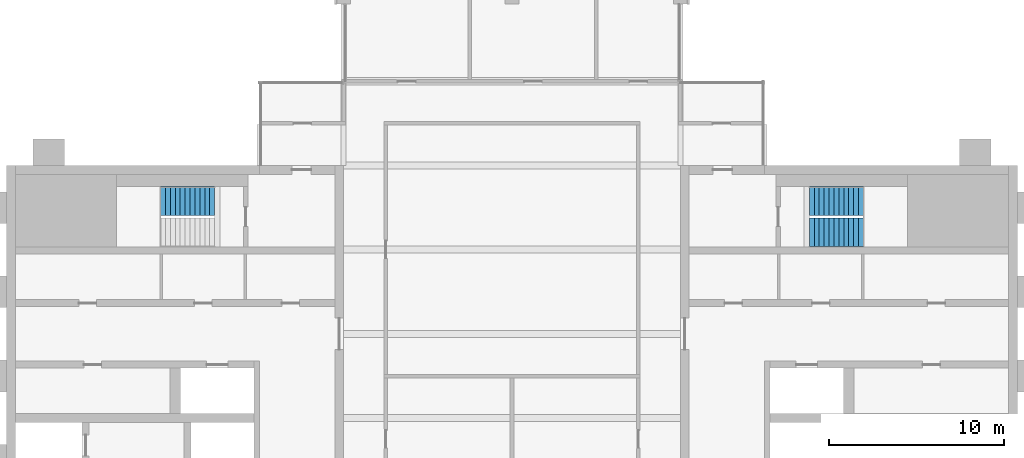
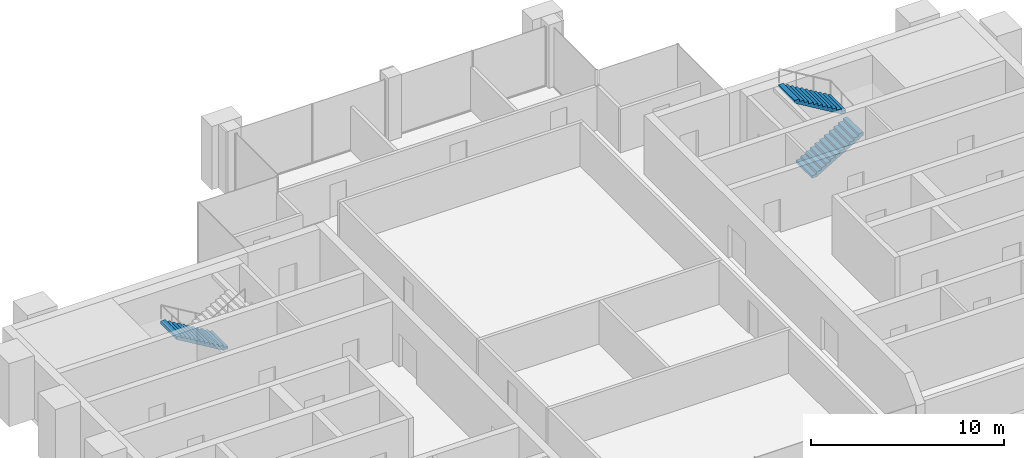
# One storey, part 11 of 12: 3 stair flights, 2 elements without a shape of their own.
"""IFC4 building model written with IfcOpenShell, lengths in metres."""

import ifcopenshell
import ifcopenshell.guid

model = None  # the IFC model being written
_history = None  # IfcOwnerHistory: only IFC2X3 demands one
_inside = {}  # id of a spatial element -> (the spatial element, [elements in it])
_under = {}  # id of a project, library or spatial element -> (it, [spatial elements below it])
_declared = {}  # id of a project -> (the project, [libraries it declares])
_typed = {}  # id of a type object -> (the type object, [elements of that type])
_made_of = {}  # id of a material, layer set ... -> (it, [elements and type objects made of it])


def new_model(schema):
    """Start an empty IFC model of exactly this schema.

    Asked for "IFC4X3", IfcOpenShell would pick the latest addendum, in which some entities
    have other attributes; the version numbers below select the first issue.
    IFC2X3 requires an IfcOwnerHistory on every rooted entity: one is made here for all.
    """
    global model, _history
    if schema == "IFC4X3":
        model = ifcopenshell.file(schema_version=(4, 3, 0, 0))
    else:
        model = ifcopenshell.file(schema=schema)
    _inside.clear()
    _under.clear()
    _declared.clear()
    _typed.clear()
    _made_of.clear()
    _history = None
    if model.schema == "IFC2X3":
        org = make("IfcOrganization", Name="unknown")
        user = make(
            "IfcPersonAndOrganization",
            ThePerson=make("IfcPerson", FamilyName="unknown"),
            TheOrganization=org,
        )
        app = make(
            "IfcApplication",
            ApplicationDeveloper=org,
            Version="unknown",
            ApplicationFullName="unknown",
            ApplicationIdentifier="unknown",
        )
        _history = make(
            "IfcOwnerHistory",
            OwningUser=user,
            OwningApplication=app,
            ChangeAction="ADDED",
            CreationDate=0,
        )
    return model


def make(cls, **values):
    """One entity of the class cls with the attributes given. An attribute that is None is left unset."""
    return model.create_entity(
        cls, **{name: value for name, value in values.items() if value is not None}
    )


def rooted(cls, **values):
    """An entity with a GlobalId (a new one), such as an element, a storey or a relation."""
    return make(cls, GlobalId=ifcopenshell.guid.new(), OwnerHistory=_history, **values)


def si_unit(unit_type, name, prefix=None):
    """IfcSIUnit, for example si_unit("LENGTHUNIT", "METRE", prefix="MILLI")."""
    return make("IfcSIUnit", UnitType=unit_type, Prefix=prefix, Name=name)


def assignment(units):
    """IfcUnitAssignment: the units of a project."""
    return None if units is None else make("IfcUnitAssignment", Units=units)


def point(xyz):
    """IfcCartesianPoint."""
    return None if xyz is None else make("IfcCartesianPoint", Coordinates=xyz)


def direction(xyz):
    """IfcDirection."""
    return None if xyz is None else make("IfcDirection", DirectionRatios=xyz)


def frame(location, z_axis=None, x_axis=None):
    """IfcAxis2Placement3D, a coordinate frame: its origin and axes. An axis left out is left unset."""
    return make(
        "IfcAxis2Placement3D",
        Location=point(location),
        Axis=direction(z_axis),
        RefDirection=direction(x_axis),
    )


def origin():
    """The frame at (0, 0, 0) with its axes left unset."""
    return frame((0.0, 0.0, 0.0))


def place(relative_to, where):
    """IfcLocalPlacement: puts the frame where relative to a parent placement (None: the world)."""
    return make(
        "IfcLocalPlacement", PlacementRelTo=relative_to, RelativePlacement=where
    )


def context(
    kind, dimensions, precision=None, world=None, true_north=None, identifier=None
):
    """IfcGeometricRepresentationContext, for example the 3D "Model" context."""
    return make(
        "IfcGeometricRepresentationContext",
        ContextIdentifier=identifier,
        ContextType=kind,
        CoordinateSpaceDimension=dimensions,
        Precision=precision,
        WorldCoordinateSystem=world,
        TrueNorth=true_north,
    )


def subcontext(parent, identifier, kind, view, scale=None):
    """IfcGeometricRepresentationSubContext, for example "Body" below "Model"."""
    return make(
        "IfcGeometricRepresentationSubContext",
        ContextIdentifier=identifier,
        ContextType=kind,
        ParentContext=parent,
        TargetScale=scale,
        TargetView=view,
    )


def project(units=None, contexts=None):
    """IfcProject with its units and contexts."""
    return rooted(
        "IfcProject",
        Name="project",
        RepresentationContexts=contexts,
        UnitsInContext=assignment(units),
    )


def spatial(cls, under=None, at=None, **own):
    """A site, building, storey or space (cls), placed at a placement, below another one or the project."""
    s = rooted(cls, ObjectPlacement=at, **own)
    if under is not None:
        _under.setdefault(under.id(), (under, []))[1].append(s)
    return s


def polyline(points):
    """IfcPolyline through the points."""
    return make("IfcPolyline", Points=[point(p) for p in points])


def outline(outer, holes=None, kind="AREA"):
    """IfcArbitraryClosedProfileDef: a profile drawn as a closed curve; with holes, ...WithVoids."""
    if holes is None:
        return make("IfcArbitraryClosedProfileDef", ProfileType=kind, OuterCurve=outer)
    return make(
        "IfcArbitraryProfileDefWithVoids",
        ProfileType=kind,
        OuterCurve=outer,
        InnerCurves=holes,
    )


def extrude(swept, where, along, depth):
    """IfcExtrudedAreaSolid: the profile swept, set in the frame where, extruded along a direction by depth."""
    return make(
        "IfcExtrudedAreaSolid",
        SweptArea=swept,
        Position=where,
        ExtrudedDirection=direction(along),
        Depth=depth,
    )


def shape(context_of_items, identifier, shape_type, items):
    """IfcShapeRepresentation: the items that make up one representation, for example the "Body"."""
    return make(
        "IfcShapeRepresentation",
        ContextOfItems=context_of_items,
        RepresentationIdentifier=identifier,
        RepresentationType=shape_type,
        Items=items,
    )


def material(Name=None, Category=None):
    """IfcMaterial."""
    return make("IfcMaterial", Name=Name, Category=Category)


def made_of(thing, what):
    """Note that an element or type object is made of a material, layer set ...; save() writes the relation."""
    if what is not None:
        _made_of.setdefault(what.id(), (what, []))[1].append(thing)
    return thing


def type_object(cls, material=None, **own):
    """A type object (cls), such as IfcWallType, which elements share."""
    return made_of(rooted(cls, **own), material)


def element(
    cls,
    number,
    at=None,
    inside=None,
    cuts=None,
    type_object=None,
    material=None,
    context=None,
    identifier="Body",
    shape_type=None,
    held_by="IfcProductDefinitionShape",
    body=None,
    shapes=None,
    **own,
):
    """One element of the class cls, such as IfcWall. Its Tag is "e" and its number.

    at: its placement. inside: the storey or other place that contains it. cuts: it is an
    opening in that element (IfcRelVoidsElement). A single representation is given by context,
    identifier, shape_type and body (its items); several are given by shapes. held_by: the class
    of the entity that holds the representations. save() writes the other relations.
    """
    e = rooted(cls, Tag="e%d" % number, ObjectPlacement=at, **own)
    if body is not None:
        shapes = [shape(context, identifier, shape_type, body)]
    if shapes is not None:
        e.Representation = make(held_by, Representations=shapes)
    if inside is not None:
        _inside.setdefault(inside.id(), (inside, []))[1].append(e)
    if cuts is not None:
        rooted(
            "IfcRelVoidsElement", RelatingBuildingElement=cuts, RelatedOpeningElement=e
        )
    if type_object is not None:
        _typed.setdefault(type_object.id(), (type_object, []))[1].append(e)
    return made_of(e, material)


def aggregate(whole, parts):
    """IfcRelAggregates: a whole, such as a stair, and the parts it consists of."""
    return rooted("IfcRelAggregates", RelatingObject=whole, RelatedObjects=parts)


def save(model, path):
    """Write the relations noted so far, then the file.

    IfcRelAggregates (storeys below a building ...), IfcRelContainedInSpatialStructure (elements
    in a storey), IfcRelDefinesByType, IfcRelAssociatesMaterial and IfcRelDeclares: one each for
    every whole, place, type object, material and project.
    """
    for whole, parts in _under.values():
        aggregate(whole, parts)
    for where, things in _inside.values():
        rooted(
            "IfcRelContainedInSpatialStructure",
            RelatedElements=things,
            RelatingStructure=where,
        )
    for kind, things in _typed.values():
        rooted("IfcRelDefinesByType", RelatedObjects=things, RelatingType=kind)
    for what, things in _made_of.values():
        rooted("IfcRelAssociatesMaterial", RelatedObjects=things, RelatingMaterial=what)
    for by, libraries in _declared.values():
        rooted("IfcRelDeclares", RelatingContext=by, RelatedDefinitions=libraries)
    model.write(path)


model = new_model("IFC4")

# Units and contexts
model_context = context("Model", 3, precision=1e-05, world=origin(), true_north=direction((0.0, 1.0)))
body_context = subcontext(model_context, "Body", "Model", "MODEL_VIEW")
ifc_project = project(units=[si_unit("LENGTHUNIT", "METRE"), si_unit("AREAUNIT", "SQUARE_METRE"), si_unit("VOLUMEUNIT", "CUBIC_METRE"), si_unit("PLANEANGLEUNIT", "RADIAN"), si_unit("MASSUNIT", "GRAM", prefix="KILO")], contexts=[model_context])

# Site, building, storey
site_placement = place(None, origin())
site = spatial("IfcSite", under=ifc_project, at=site_placement, CompositionType="ELEMENT")
building_placement = place(site_placement, origin())
building = spatial("IfcBuilding", under=site, at=building_placement, Name="Baori Bourse Tower", CompositionType="ELEMENT")
storey_placement = place(building_placement, frame((0.0, 0.0, 370.300048828125)))
storey = spatial("IfcBuildingStorey", under=building, at=storey_placement, Name="L83", CompositionType="ELEMENT", Elevation=370.300048828125)

# Stair, stair flight
ifc_material_1 = material(Name="Concrete f'c 50 MPa", Category="concrete")
stair_type = type_object("IfcStairType", Name="Core stair", PredefinedType="HALF_TURN_STAIR", material=ifc_material_1)
stair_1_placement = place(storey_placement, origin())
stair_1 = element("IfcStair", 1, at=stair_1_placement, inside=storey, type_object=stair_type, Name="L83 Stair WB", PredefinedType="HALF_TURN_STAIR")
ifc_material_2 = material(Name="Concrete f'c 50 MPa", Category="concrete")
stair_flight_type = type_object("IfcStairFlightType", Name="Core stair flight", PredefinedType="STRAIGHT", material=ifc_material_2)
stair_flight_1_placement = place(storey_placement, frame((11.85009765625, 36.375, 0.0), z_axis=(0.0, 0.0, 1.0), x_axis=(-1.0, 0.0, 0.0)))
stair_flight_1 = element("IfcStairFlight", 2, at=stair_flight_1_placement, type_object=stair_flight_type, Name="ST2 flight 1", NumberOfRisers=12, NumberOfTreads=11, PredefinedType="STRAIGHT", RiserHeight=0.166666667, TreadLength=0.28, context=body_context, shape_type="SweptSolid", body=[
    extrude(outline(polyline([(0.0, 0.0), (0.0, 0.166748046875), (0.280029296875, 0.166748046875), (0.280029296875, 0.333251953125), (0.56005859375, 0.333251953125), (0.56005859375, 0.5), (0.840087890625, 0.5), (0.840087890625, 0.666748046875), (1.1201171875, 0.666748046875), (1.1201171875, 0.833251953125), (1.39990234375, 0.833251953125), (1.39990234375, 1.0), (1.679931640625, 1.0), (1.679931640625, 1.166748046875), (1.9599609375, 1.166748046875), (1.9599609375, 1.333251953125), (2.239990234375, 1.333251953125), (2.239990234375, 1.5), (2.52001953125, 1.5), (2.52001953125, 1.666748046875), (2.800048828125, 1.666748046875), (2.800048828125, 1.833251953125), (3.080078125, 1.833251953125), (3.080078125, 2.0), (3.080078125, 1.658935546875), (0.29296875, 0.0), (0.0, 0.0)])), frame((0.0, 0.824951171875, 0.0), z_axis=(0.0, -1.0, 0.0), x_axis=(1.0, 0.0, 0.0)), (0.0, 0.0, 1.0), 1.64990234375),
])
aggregate(stair_1, [stair_flight_1])

# Stair, stair flights
stair_2_placement = place(storey_placement, origin())
stair_2 = element("IfcStair", 3, at=stair_2_placement, inside=storey, type_object=stair_type, Name="L83 Stair EB", PredefinedType="HALF_TURN_STAIR")
stair_flight_2_placement = place(storey_placement, frame((45.75, 34.574951171875, 0.0), z_axis=(0.0, 0.0, 1.0), x_axis=(1.0, 0.0, 0.0)))
stair_flight_2 = element("IfcStairFlight", 4, at=stair_flight_2_placement, type_object=stair_flight_type, Name="ST4 flight 1", NumberOfRisers=12, NumberOfTreads=11, PredefinedType="STRAIGHT", RiserHeight=0.166666667, TreadLength=0.28, context=body_context, shape_type="SweptSolid", body=[
    extrude(outline(polyline([(0.0, 0.0), (0.0, 0.166748046875), (0.280029296875, 0.166748046875), (0.280029296875, 0.333251953125), (0.56005859375, 0.333251953125), (0.56005859375, 0.5), (0.840087890625, 0.5), (0.840087890625, 0.666748046875), (1.1201171875, 0.666748046875), (1.1201171875, 0.833251953125), (1.39990234375, 0.833251953125), (1.39990234375, 1.0), (1.679931640625, 1.0), (1.679931640625, 1.166748046875), (1.9599609375, 1.166748046875), (1.9599609375, 1.333251953125), (2.239990234375, 1.333251953125), (2.239990234375, 1.5), (2.52001953125, 1.5), (2.52001953125, 1.666748046875), (2.800048828125, 1.666748046875), (2.800048828125, 1.833251953125), (3.080078125, 1.833251953125), (3.080078125, 2.0), (3.080078125, 1.658935546875), (0.29296875, 0.0), (0.0, 0.0)])), frame((0.0, 0.824951171875, 0.0), z_axis=(0.0, -1.0, 0.0), x_axis=(1.0, 0.0, 0.0)), (0.0, 0.0, 1.0), 1.64990234375),
])
stair_flight_3_placement = place(storey_placement, frame((48.830078125, 36.375, 2.0), z_axis=(0.0, 0.0, 1.0), x_axis=(-1.0, 0.0, 0.0)))
stair_flight_3 = element("IfcStairFlight", 5, at=stair_flight_3_placement, type_object=stair_flight_type, Name="ST4 flight 2", NumberOfRisers=12, NumberOfTreads=11, PredefinedType="STRAIGHT", RiserHeight=0.166666667, TreadLength=0.28, context=body_context, shape_type="SweptSolid", body=[
    extrude(outline(polyline([(0.0, 0.0), (0.0, 0.166748046875), (0.280029296875, 0.166748046875), (0.280029296875, 0.333251953125), (0.56005859375, 0.333251953125), (0.56005859375, 0.5), (0.840087890625, 0.5), (0.840087890625, 0.666748046875), (1.1201171875, 0.666748046875), (1.1201171875, 0.833251953125), (1.39990234375, 0.833251953125), (1.39990234375, 1.0), (1.679931640625, 1.0), (1.679931640625, 1.166748046875), (1.9599609375, 1.166748046875), (1.9599609375, 1.333251953125), (2.239990234375, 1.333251953125), (2.239990234375, 1.5), (2.52001953125, 1.5), (2.52001953125, 1.666748046875), (2.800048828125, 1.666748046875), (2.800048828125, 1.833251953125), (3.080078125, 1.833251953125), (3.080078125, 2.0), (3.080078125, 1.658935546875), (0.29296875, 0.0), (0.0, 0.0)])), frame((0.0, 0.824951171875, 0.0), z_axis=(0.0, -1.0, 0.0), x_axis=(1.0, 0.0, 0.0)), (0.0, 0.0, 1.0), 1.64990234375),
])
aggregate(stair_2, [stair_flight_2, stair_flight_3])

save(model, "model.ifc")
